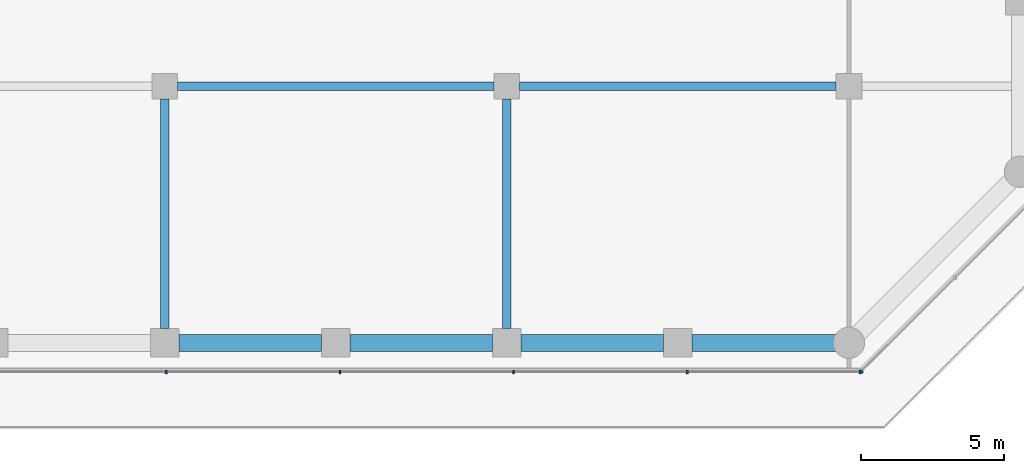
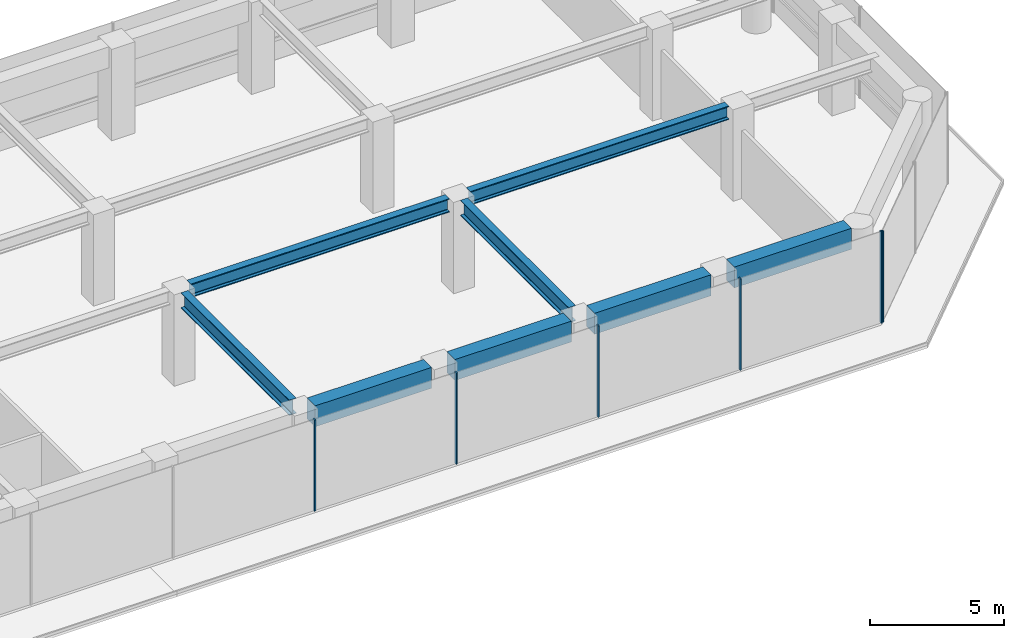
# One storey, part 7 of 24: 8 beams, 6 members, 2 elements without a shape of their own.
"""IFC4 building model written with IfcOpenShell, lengths in metres."""

import ifcopenshell
import ifcopenshell.guid

model = None  # the IFC model being written
_history = None  # IfcOwnerHistory: only IFC2X3 demands one
_inside = {}  # id of a spatial element -> (the spatial element, [elements in it])
_under = {}  # id of a project, library or spatial element -> (it, [spatial elements below it])
_declared = {}  # id of a project -> (the project, [libraries it declares])
_typed = {}  # id of a type object -> (the type object, [elements of that type])
_made_of = {}  # id of a material, layer set ... -> (it, [elements and type objects made of it])


def new_model(schema):
    """Start an empty IFC model of exactly this schema.

    Asked for "IFC4X3", IfcOpenShell would pick the latest addendum, in which some entities
    have other attributes; the version numbers below select the first issue.
    IFC2X3 requires an IfcOwnerHistory on every rooted entity: one is made here for all.
    """
    global model, _history
    if schema == "IFC4X3":
        model = ifcopenshell.file(schema_version=(4, 3, 0, 0))
    else:
        model = ifcopenshell.file(schema=schema)
    _inside.clear()
    _under.clear()
    _declared.clear()
    _typed.clear()
    _made_of.clear()
    _history = None
    if model.schema == "IFC2X3":
        org = make("IfcOrganization", Name="unknown")
        user = make(
            "IfcPersonAndOrganization",
            ThePerson=make("IfcPerson", FamilyName="unknown"),
            TheOrganization=org,
        )
        app = make(
            "IfcApplication",
            ApplicationDeveloper=org,
            Version="unknown",
            ApplicationFullName="unknown",
            ApplicationIdentifier="unknown",
        )
        _history = make(
            "IfcOwnerHistory",
            OwningUser=user,
            OwningApplication=app,
            ChangeAction="ADDED",
            CreationDate=0,
        )
    return model


def make(cls, **values):
    """One entity of the class cls with the attributes given. An attribute that is None is left unset."""
    return model.create_entity(
        cls, **{name: value for name, value in values.items() if value is not None}
    )


def rooted(cls, **values):
    """An entity with a GlobalId (a new one), such as an element, a storey or a relation."""
    return make(cls, GlobalId=ifcopenshell.guid.new(), OwnerHistory=_history, **values)


def si_unit(unit_type, name, prefix=None):
    """IfcSIUnit, for example si_unit("LENGTHUNIT", "METRE", prefix="MILLI")."""
    return make("IfcSIUnit", UnitType=unit_type, Prefix=prefix, Name=name)


def assignment(units):
    """IfcUnitAssignment: the units of a project."""
    return None if units is None else make("IfcUnitAssignment", Units=units)


def point(xyz):
    """IfcCartesianPoint."""
    return None if xyz is None else make("IfcCartesianPoint", Coordinates=xyz)


def direction(xyz):
    """IfcDirection."""
    return None if xyz is None else make("IfcDirection", DirectionRatios=xyz)


def frame(location, z_axis=None, x_axis=None):
    """IfcAxis2Placement3D, a coordinate frame: its origin and axes. An axis left out is left unset."""
    return make(
        "IfcAxis2Placement3D",
        Location=point(location),
        Axis=direction(z_axis),
        RefDirection=direction(x_axis),
    )


def frame_2d(location, x_axis=None):
    """IfcAxis2Placement2D, a coordinate frame in the plane: its origin and x axis."""
    return make(
        "IfcAxis2Placement2D", Location=point(location), RefDirection=direction(x_axis)
    )


def origin():
    """The frame at (0, 0, 0) with its axes left unset."""
    return frame((0.0, 0.0, 0.0))


def origin_2d():
    """The frame at (0, 0) in the plane with its x axis left unset."""
    return frame_2d((0.0, 0.0))


def place(relative_to, where):
    """IfcLocalPlacement: puts the frame where relative to a parent placement (None: the world)."""
    return make(
        "IfcLocalPlacement", PlacementRelTo=relative_to, RelativePlacement=where
    )


def context(
    kind, dimensions, precision=None, world=None, true_north=None, identifier=None
):
    """IfcGeometricRepresentationContext, for example the 3D "Model" context."""
    return make(
        "IfcGeometricRepresentationContext",
        ContextIdentifier=identifier,
        ContextType=kind,
        CoordinateSpaceDimension=dimensions,
        Precision=precision,
        WorldCoordinateSystem=world,
        TrueNorth=true_north,
    )


def subcontext(parent, identifier, kind, view, scale=None):
    """IfcGeometricRepresentationSubContext, for example "Body" below "Model"."""
    return make(
        "IfcGeometricRepresentationSubContext",
        ContextIdentifier=identifier,
        ContextType=kind,
        ParentContext=parent,
        TargetScale=scale,
        TargetView=view,
    )


def project(units=None, contexts=None):
    """IfcProject with its units and contexts."""
    return rooted(
        "IfcProject",
        Name="project",
        RepresentationContexts=contexts,
        UnitsInContext=assignment(units),
    )


def spatial(cls, under=None, at=None, **own):
    """A site, building, storey or space (cls), placed at a placement, below another one or the project."""
    s = rooted(cls, ObjectPlacement=at, **own)
    if under is not None:
        _under.setdefault(under.id(), (under, []))[1].append(s)
    return s


def profile(cls, at=None, kind="AREA", **sizes):
    """A parametric profile (cls). Its sizes go by their IFC names, for example OverallWidth=200.0."""
    return make(cls, ProfileType=kind, Position=at, **sizes)


def rectangle(**sizes):
    """IfcRectangleProfileDef."""
    return profile("IfcRectangleProfileDef", **sizes)


def i_section(**sizes):
    """IfcIShapeProfileDef."""
    return profile("IfcIShapeProfileDef", **sizes)


def extrude(swept, where, along, depth):
    """IfcExtrudedAreaSolid: the profile swept, set in the frame where, extruded along a direction by depth."""
    return make(
        "IfcExtrudedAreaSolid",
        SweptArea=swept,
        Position=where,
        ExtrudedDirection=direction(along),
        Depth=depth,
    )


def shape(context_of_items, identifier, shape_type, items):
    """IfcShapeRepresentation: the items that make up one representation, for example the "Body"."""
    return make(
        "IfcShapeRepresentation",
        ContextOfItems=context_of_items,
        RepresentationIdentifier=identifier,
        RepresentationType=shape_type,
        Items=items,
    )


def material(Name=None, Category=None):
    """IfcMaterial."""
    return make("IfcMaterial", Name=Name, Category=Category)


def layer(
    of_material, thickness, ventilated=None, Name=None, Category=None, Priority=None
):
    """IfcMaterialLayer: one layer of a wall or slab, of a material (None: an air gap)."""
    return make(
        "IfcMaterialLayer",
        Material=of_material,
        LayerThickness=thickness,
        IsVentilated=ventilated,
        Name=Name,
        Category=Category,
        Priority=Priority,
    )


def layer_set(layers, Name=None):
    """IfcMaterialLayerSet."""
    return make("IfcMaterialLayerSet", MaterialLayers=layers, LayerSetName=Name)


def material_profile(
    of_material, cross_section, Name=None, Category=None, Priority=None
):
    """IfcMaterialProfile: a cross section and its material."""
    return make(
        "IfcMaterialProfile",
        Name=Name,
        Material=of_material,
        Profile=cross_section,
        Priority=Priority,
        Category=Category,
    )


def profile_set(profiles, Name=None, composite=None):
    """IfcMaterialProfileSet."""
    return make(
        "IfcMaterialProfileSet",
        Name=Name,
        MaterialProfiles=profiles,
        CompositeProfile=composite,
    )


def made_of(thing, what):
    """Note that an element or type object is made of a material, layer set ...; save() writes the relation."""
    if what is not None:
        _made_of.setdefault(what.id(), (what, []))[1].append(thing)
    return thing


def type_object(cls, material=None, **own):
    """A type object (cls), such as IfcWallType, which elements share."""
    return made_of(rooted(cls, **own), material)


def element(
    cls,
    number,
    at=None,
    inside=None,
    cuts=None,
    type_object=None,
    material=None,
    context=None,
    identifier="Body",
    shape_type=None,
    held_by="IfcProductDefinitionShape",
    body=None,
    shapes=None,
    **own,
):
    """One element of the class cls, such as IfcWall. Its Tag is "e" and its number.

    at: its placement. inside: the storey or other place that contains it. cuts: it is an
    opening in that element (IfcRelVoidsElement). A single representation is given by context,
    identifier, shape_type and body (its items); several are given by shapes. held_by: the class
    of the entity that holds the representations. save() writes the other relations.
    """
    e = rooted(cls, Tag="e%d" % number, ObjectPlacement=at, **own)
    if body is not None:
        shapes = [shape(context, identifier, shape_type, body)]
    if shapes is not None:
        e.Representation = make(held_by, Representations=shapes)
    if inside is not None:
        _inside.setdefault(inside.id(), (inside, []))[1].append(e)
    if cuts is not None:
        rooted(
            "IfcRelVoidsElement", RelatingBuildingElement=cuts, RelatedOpeningElement=e
        )
    if type_object is not None:
        _typed.setdefault(type_object.id(), (type_object, []))[1].append(e)
    return made_of(e, material)


def aggregate(whole, parts):
    """IfcRelAggregates: a whole, such as a stair, and the parts it consists of."""
    return rooted("IfcRelAggregates", RelatingObject=whole, RelatedObjects=parts)


def save(model, path):
    """Write the relations noted so far, then the file.

    IfcRelAggregates (storeys below a building ...), IfcRelContainedInSpatialStructure (elements
    in a storey), IfcRelDefinesByType, IfcRelAssociatesMaterial and IfcRelDeclares: one each for
    every whole, place, type object, material and project.
    """
    for whole, parts in _under.values():
        aggregate(whole, parts)
    for where, things in _inside.values():
        rooted(
            "IfcRelContainedInSpatialStructure",
            RelatedElements=things,
            RelatingStructure=where,
        )
    for kind, things in _typed.values():
        rooted("IfcRelDefinesByType", RelatedObjects=things, RelatingType=kind)
    for what, things in _made_of.values():
        rooted("IfcRelAssociatesMaterial", RelatedObjects=things, RelatingMaterial=what)
    for by, libraries in _declared.values():
        rooted("IfcRelDeclares", RelatingContext=by, RelatedDefinitions=libraries)
    model.write(path)


model = new_model("IFC4")

# Units and contexts
model_context = context("Model", 3, precision=1e-05, world=origin(), true_north=direction((0.0, 1.0)))
body_context = subcontext(model_context, "Body", "Model", "MODEL_VIEW")
ifc_project = project(units=[si_unit("LENGTHUNIT", "METRE"), si_unit("AREAUNIT", "SQUARE_METRE"), si_unit("VOLUMEUNIT", "CUBIC_METRE"), si_unit("PLANEANGLEUNIT", "RADIAN"), si_unit("MASSUNIT", "GRAM", prefix="KILO")], contexts=[model_context])

# Site, building, storey
site_placement = place(None, origin())
site = spatial("IfcSite", under=ifc_project, at=site_placement, CompositionType="ELEMENT")
building_placement = place(site_placement, origin())
building = spatial("IfcBuilding", under=site, at=building_placement, Name="Welwitschia Terrace Campus", CompositionType="ELEMENT")
storey_placement = place(building_placement, frame((0.0, 0.0, 24.5)))
storey = spatial("IfcBuildingStorey", under=building, at=storey_placement, Name="L05", CompositionType="ELEMENT", Elevation=24.5)

# Beams
ifc_material_1 = material(Name="Steel S355", Category="steel")
ifc_material_profile_1 = material_profile(ifc_material_1, i_section(OverallWidth=0.304931640625, OverallDepth=0.6201171875, WebThickness=0.02099609375, FlangeThickness=0.0400390625, FilletRadius=0.027099609375, at=origin_2d()))
ifc_profile_set_1 = profile_set([ifc_material_profile_1], Name="Steel S355")
beam_type_1 = type_object("IfcBeamType", Name="Interior girder HE 600 M", PredefinedType="BEAM", material=ifc_profile_set_1)
for number, where, z_axis, x_axis, name in (
    (1, (36.450439453125, 5.0, 3.840087890625), (1.0, 0.0, 0.0), (0.0, 1.0, 0.0), "Girder GB1"),
    (2, (48.450439453125, 5.0, 3.840087890625), (1.0, 0.0, 0.0), (0.0, 1.0, 0.0), "Girder GB1"),
):
    element("IfcBeam", number, at=place(storey_placement, frame(where, z_axis=z_axis, x_axis=x_axis)), inside=storey, type_object=beam_type_1, Name=name, PredefinedType="BEAM", context=body_context, shape_type="SweptSolid", body=[
        extrude(i_section(OverallWidth=0.304931640625, OverallDepth=0.6201171875, WebThickness=0.02099609375, FlangeThickness=0.0400390625, FilletRadius=0.027099609375, at=origin_2d()), origin(), (0.0, 0.0, 1.0), 11.09912109375),
    ])

# Curtain wall, members
ifc_material_2 = material(Name="Bronze anodised aluminium", Category="aluminium")
ifc_layer = layer(ifc_material_2, 0.1201171875)
ifc_layer_set = layer_set([ifc_layer], Name="Bronze anodised aluminium")
curtain_wall_type = type_object("IfcCurtainWallType", Name="Curtain wall CW2 tower 6000", PredefinedType="NOTDEFINED", material=ifc_layer_set)
curtain_wall_1_placement = place(storey_placement, origin())
curtain_wall_1 = element("IfcCurtainWall", 3, at=curtain_wall_1_placement, inside=storey, type_object=curtain_wall_type, Name="CW L05.1.0", PredefinedType="NOTDEFINED")
ifc_material_3 = material(Name="Bronze anodised aluminium", Category="aluminium")
ifc_material_profile_2 = material_profile(ifc_material_3, rectangle(XDim=0.1201171875, YDim=0.06005859375, at=origin_2d()))
ifc_profile_set_2 = profile_set([ifc_material_profile_2], Name="Bronze anodised aluminium")
member_type = type_object("IfcMemberType", Name="Mullion 60x120", PredefinedType="MULLION", material=ifc_profile_set_2)
member_1_placement = place(storey_placement, frame((36.046875, -5.02001953125, 0.0), z_axis=(0.0, 0.0, 1.0), x_axis=(0.0, 1.0, 0.0)))
member_1 = element("IfcMember", 4, at=member_1_placement, type_object=member_type, Name="Mullion L05.1.0.5", PredefinedType="MULLION", context=body_context, shape_type="SweptSolid", body=[
    extrude(rectangle(XDim=0.1201171875, YDim=0.06005859375, at=origin_2d()), origin(), (0.0, 0.0, 1.0), 4.14990234375),
])
member_2_placement = place(storey_placement, frame((42.140869140625, -5.02001953125, 0.0), z_axis=(0.0, 0.0, 1.0), x_axis=(0.0, 1.0, 0.0)))
member_2 = element("IfcMember", 5, at=member_2_placement, type_object=member_type, Name="Mullion L05.1.0.6", PredefinedType="MULLION", context=body_context, shape_type="SweptSolid", body=[
    extrude(rectangle(XDim=0.1201171875, YDim=0.06005859375, at=origin_2d()), origin(), (0.0, 0.0, 1.0), 4.14990234375),
])
member_3_placement = place(storey_placement, frame((48.234619140625, -5.02001953125, 0.0), z_axis=(0.0, 0.0, 1.0), x_axis=(0.0, 1.0, 0.0)))
member_3 = element("IfcMember", 6, at=member_3_placement, type_object=member_type, Name="Mullion L05.1.0.7", PredefinedType="MULLION", context=body_context, shape_type="SweptSolid", body=[
    extrude(rectangle(XDim=0.1201171875, YDim=0.06005859375, at=origin_2d()), origin(), (0.0, 0.0, 1.0), 4.14990234375),
])
member_4_placement = place(storey_placement, frame((54.32861328125, -5.02001953125, 0.0), z_axis=(0.0, 0.0, 1.0), x_axis=(0.0, 1.0, 0.0)))
member_4 = element("IfcMember", 7, at=member_4_placement, type_object=member_type, Name="Mullion L05.1.0.8", PredefinedType="MULLION", context=body_context, shape_type="SweptSolid", body=[
    extrude(rectangle(XDim=0.1201171875, YDim=0.06005859375, at=origin_2d()), origin(), (0.0, 0.0, 1.0), 4.14990234375),
])
member_5_placement = place(storey_placement, frame((60.392578125, -5.02001953125, 0.0), z_axis=(0.0, 0.0, 1.0), x_axis=(0.0, 1.0, 0.0)))
member_5 = element("IfcMember", 8, at=member_5_placement, type_object=member_type, Name="Mullion L05.1.0.9", PredefinedType="MULLION", context=body_context, shape_type="SweptSolid", body=[
    extrude(rectangle(XDim=0.1201171875, YDim=0.06005859375, at=origin_2d()), origin(), (0.0, 0.0, 1.0), 4.14990234375),
])
aggregate(curtain_wall_1, [member_1, member_2, member_3, member_4, member_5])

# Curtain wall, member
curtain_wall_2_placement = place(storey_placement, origin())
curtain_wall_2 = element("IfcCurtainWall", 9, at=curtain_wall_2_placement, inside=storey, type_object=curtain_wall_type, Name="CW L05.2.0", PredefinedType="NOTDEFINED")
member_6_placement = place(storey_placement, frame((60.443603515625, -4.998779296875, 0.0), z_axis=(0.0, 0.0, 1.0), x_axis=(-0.707106781187, 0.707106781187, 0.0)))
member_6 = element("IfcMember", 10, at=member_6_placement, type_object=member_type, Name="Mullion L05.2.0.0", PredefinedType="MULLION", context=body_context, shape_type="SweptSolid", body=[
    extrude(rectangle(XDim=0.1201171875, YDim=0.06005859375, at=origin_2d()), origin(), (0.0, 0.0, 1.0), 4.14990234375),
])
aggregate(curtain_wall_2, [member_6])

# Beams
ifc_material_4 = material(Name="Steel S355", Category="steel")
ifc_material_profile_3 = material_profile(ifc_material_4, i_section(OverallWidth=0.300048828125, OverallDepth=0.699951171875, WebThickness=0.01708984375, FlangeThickness=0.031982421875, FilletRadius=0.027099609375, at=origin_2d()))
ifc_profile_set_3 = profile_set([ifc_material_profile_3], Name="Steel S355")
beam_type_2 = type_object("IfcBeamType", Name="Primary beam HE 700 B", PredefinedType="BEAM", material=ifc_profile_set_3)
for number, where, z_axis, x_axis, name in (
    (11, (36.0, -3.49951171875, 3.800048828125), (0.0, 1.0, 0.0), (-1.0, 0.0, 0.0), "Primary beam PB1"),
    (12, (48.0, -3.49951171875, 3.800048828125), (0.0, 1.0, 0.0), (-1.0, 0.0, 0.0), "Primary beam PB1"),
):
    element("IfcBeam", number, at=place(storey_placement, frame(where, z_axis=z_axis, x_axis=x_axis)), inside=storey, type_object=beam_type_2, Name=name, PredefinedType="BEAM", context=body_context, shape_type="SweptSolid", body=[
        extrude(i_section(OverallWidth=0.300048828125, OverallDepth=0.699951171875, WebThickness=0.01708984375, FlangeThickness=0.031982421875, FilletRadius=0.027099609375, at=origin_2d()), origin(), (0.0, 0.0, 1.0), 8.049072265625),
    ])
ifc_material_5 = material(Name="Concrete C60/75", Category="concrete")
ifc_material_profile_4 = material_profile(ifc_material_5, rectangle(XDim=0.60009765625, YDim=0.949951171875, at=origin_2d()))
ifc_profile_set_4 = profile_set([ifc_material_profile_4], Name="Concrete C60/75")
beam_type_3 = type_object("IfcBeamType", Name="Ring spandrel 600x950", PredefinedType="SPANDREL", material=ifc_profile_set_4)
for number, where, z_axis, x_axis, name in (
    (13, (36.50048828125, -4.0, 3.675048828125), (1.0, 0.0, 0.0), (0.0, 1.0, 0.0), "Spandrel SP1"),
    (14, (42.50048828125, -4.0, 3.675048828125), (1.0, 0.0, 0.0), (0.0, 1.0, 0.0), "Spandrel SP1"),
    (15, (48.50048828125, -4.0, 3.675048828125), (1.0, 0.0, 0.0), (0.0, 1.0, 0.0), "Spandrel SP1"),
):
    element("IfcBeam", number, at=place(storey_placement, frame(where, z_axis=z_axis, x_axis=x_axis)), inside=storey, type_object=beam_type_3, Name=name, PredefinedType="SPANDREL", context=body_context, shape_type="SweptSolid", body=[
        extrude(rectangle(XDim=0.60009765625, YDim=0.949951171875, at=origin_2d()), origin(), (0.0, 0.0, 1.0), 4.9990234375),
    ])
beam_placement = place(storey_placement, frame((54.50048828125, -4.0, 3.675048828125), z_axis=(1.0, 0.0, 0.0), x_axis=(0.0, 1.0, 0.0)))
element("IfcBeam", 16, at=beam_placement, inside=storey, type_object=beam_type_3, Name="Spandrel SP1", PredefinedType="SPANDREL", context=body_context, shape_type="SweptSolid", body=[
    extrude(rectangle(XDim=0.60009765625, YDim=0.949951171875, at=origin_2d()), origin(), (0.0, 0.0, 1.0), 5.0380859375),
])

save(model, "model.ifc")
